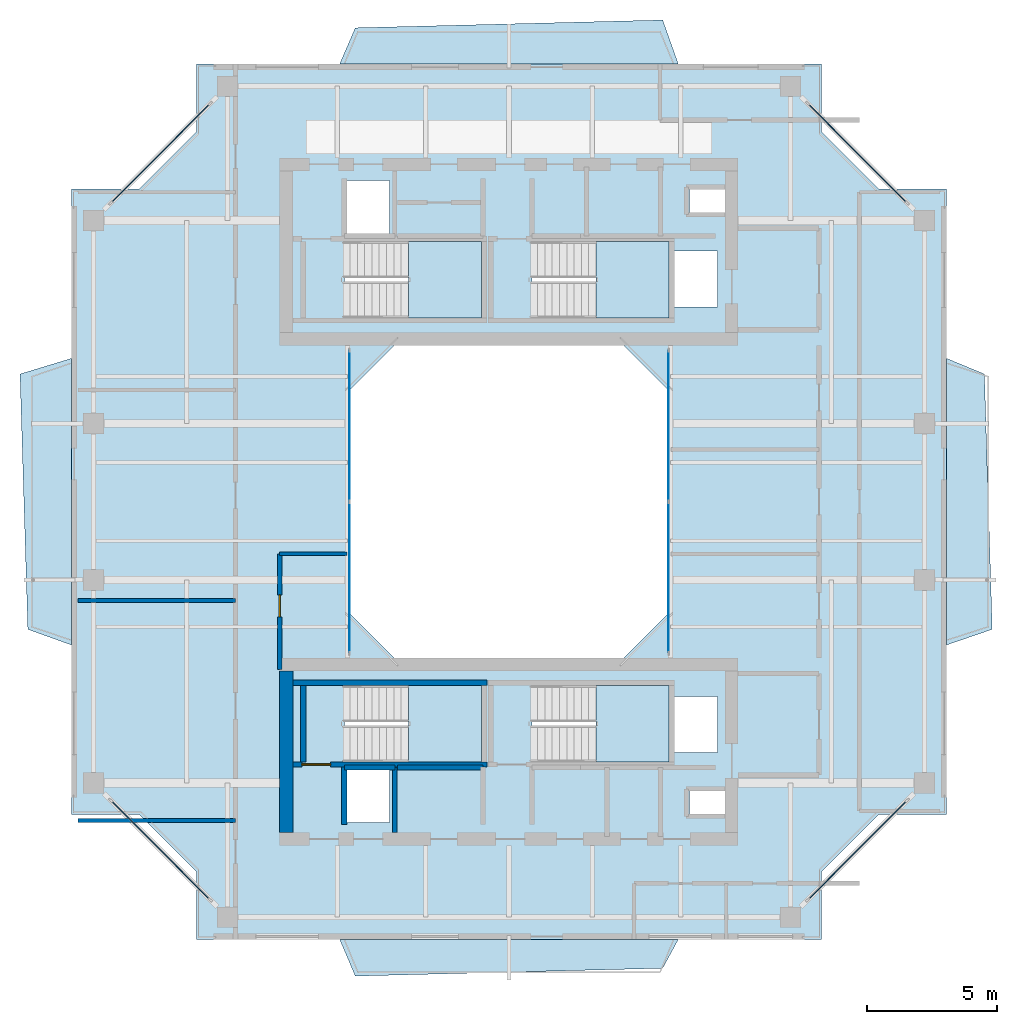
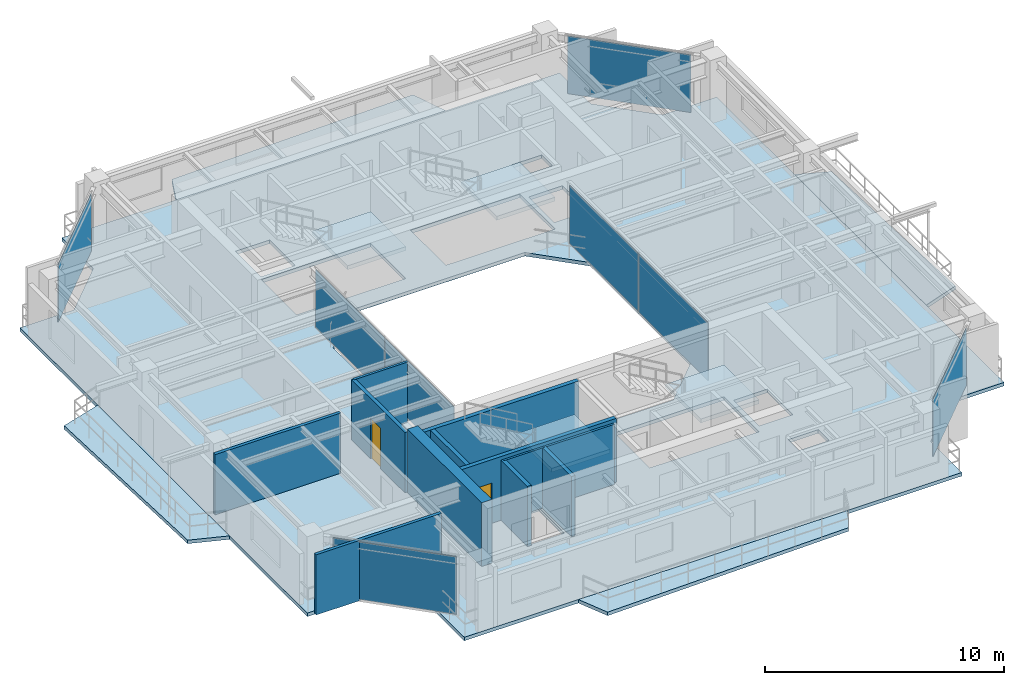
# One storey, part 9 of 15: 12 walls, 9 slabs, 8 plates, 2 doors, 2 openings, 10 elements without a shape of their own.
"""IFC4 building model written with IfcOpenShell, lengths in metres."""

from ifc_helpers import new_model, si_unit, direction, frame, frame_2d, origin, origin_2d, place, context, subcontext, project, spatial, polyline, rectangle, outline, extrude, source, transform, mapped, material, layer, layer_set, type_object, element, fill, aggregate, save


model = new_model("IFC4")

# Units and contexts
model_context = context("Model", 3, precision=1e-05, world=origin(), true_north=direction((0.0, 1.0)))
body_context = subcontext(model_context, "Body", "Model", "MODEL_VIEW")
ifc_project = project(units=[si_unit("LENGTHUNIT", "METRE"), si_unit("AREAUNIT", "SQUARE_METRE"), si_unit("VOLUMEUNIT", "CUBIC_METRE"), si_unit("PLANEANGLEUNIT", "RADIAN"), si_unit("MASSUNIT", "GRAM", prefix="KILO"), si_unit("THERMODYNAMICTEMPERATUREUNIT", "KELVIN"), si_unit("POWERUNIT", "WATT")], contexts=[model_context])

# Site, building, storey
site_placement = place(None, origin())
site = spatial("IfcSite", under=ifc_project, at=site_placement, CompositionType="ELEMENT")
building_placement = place(site_placement, origin())
building = spatial("IfcBuilding", under=site, at=building_placement, Name="Qiaomeng Ring Towers", CompositionType="ELEMENT")
storey_placement = place(building_placement, frame((0.0, 0.0, 219.75)))
storey = spatial("IfcBuildingStorey", under=building, at=storey_placement, Name="L64", CompositionType="ELEMENT", Elevation=219.75)

# Slabs
ifc_material_1 = material(Name="Concrete C40", Category="concrete")
ifc_layer_1 = layer(ifc_material_1, 0.179931640625, Name="Concrete C40")
ifc_layer_set_1 = layer_set([ifc_layer_1], Name="Concrete C40")
slab_type_1 = type_object("IfcSlabType", Name="STR-SL-180", PredefinedType="FLOOR", material=ifc_layer_set_1)
slab_1_placement = place(storey_placement, frame((0.0, 0.0, -0.179931640625)))
element("IfcSlab", 1, at=slab_1_placement, inside=storey, type_object=slab_type_1, Name="L64 Tower 1 Annular Floor Slab", PredefinedType="FLOOR", context=body_context, shape_type="SweptSolid", body=[
    extrude(outline(polyline([(7.0, 6.199951171875), (31.0, 6.199951171875), (31.0, 8.800048828125), (33.199951171875, 11.0), (35.800048828125, 11.0), (35.800048828125, 35.0), (33.199951171875, 35.0), (31.0, 37.199951171875), (31.0, 39.800048828125), (7.0, 39.800048828125), (7.0, 37.199951171875), (4.800048828125, 35.0), (2.199951171875, 35.0), (2.199951171875, 11.0), (4.800048828125, 11.0), (7.0, 8.800048828125), (7.0, 6.199951171875)]), holes=[polyline([(12.780029296875, 10.679931640625), (12.780029296875, 12.820068359375), (14.419921875, 12.820068359375), (14.419921875, 10.679931640625), (12.780029296875, 10.679931640625)]), polyline([(12.679931640625, 13.010009765625), (12.679931640625, 15.949951171875), (17.949951171875, 15.949951171875), (17.949951171875, 13.010009765625), (12.679931640625, 13.010009765625)]), polyline([(23.199951171875, 29.199951171875), (25.199951171875, 27.199951171875), (25.199951171875, 18.800048828125), (23.199951171875, 16.800048828125), (14.800048828125, 16.800048828125), (12.800048828125, 18.800048828125), (12.800048828125, 27.199951171875), (14.800048828125, 29.199951171875), (23.199951171875, 29.199951171875)]), polyline([(12.679931640625, 32.989990234375), (17.949951171875, 32.989990234375), (17.949951171875, 30.050048828125), (12.679931640625, 30.050048828125), (12.679931640625, 32.989990234375)]), polyline([(19.8798828125, 32.989990234375), (25.14990234375, 32.989990234375), (25.14990234375, 30.050048828125), (19.8798828125, 30.050048828125), (19.8798828125, 32.989990234375)]), polyline([(12.780029296875, 33.179931640625), (12.780029296875, 35.320068359375), (14.419921875, 35.320068359375), (14.419921875, 33.179931640625), (12.780029296875, 33.179931640625)]), polyline([(25.919921875, 11.89990234375), (27.360107421875, 11.89990234375), (27.360107421875, 11.0), (25.919921875, 11.0), (25.919921875, 11.89990234375)]), polyline([(25.360107421875, 15.52001953125), (27.0, 15.52001953125), (27.0, 13.3798828125), (25.360107421875, 13.3798828125), (25.360107421875, 15.52001953125)]), polyline([(19.8798828125, 13.010009765625), (19.8798828125, 15.949951171875), (25.14990234375, 15.949951171875), (25.14990234375, 13.010009765625), (19.8798828125, 13.010009765625)]), polyline([(25.360107421875, 32.6201171875), (27.0, 32.6201171875), (27.0, 30.47998046875), (25.360107421875, 30.47998046875), (25.360107421875, 32.6201171875)]), polyline([(25.919921875, 35.0), (27.360107421875, 35.0), (27.360107421875, 34.10009765625), (25.919921875, 34.10009765625), (25.919921875, 35.0)])]), origin(), (0.0, 0.0, 1.0), 0.179931640625),
])
ifc_layer_2 = layer(ifc_material_1, 0.179931640625, Name="Concrete C40")
ifc_layer_set_2 = layer_set([ifc_layer_2], Name="Concrete C40")
slab_type_2 = type_object("IfcSlabType", Name="STR-SL-BAL", PredefinedType="FLOOR", material=ifc_layer_set_2)
slab_2_placement = place(storey_placement, frame((0.0, 0.0, -0.179931640625)))
element("IfcSlab", 2, at=slab_2_placement, inside=storey, type_object=slab_type_2, Name="L64 Tower 1 S Faceted Balcony Slab", PredefinedType="FLOOR", context=body_context, shape_type="SweptSolid", body=[
    extrude(outline(polyline([(25.5, 6.199951171875), (24.89990234375, 5.090087890625), (13.10009765625, 4.7900390625), (12.5, 6.199951171875), (25.5, 6.199951171875)])), origin(), (0.0, 0.0, 1.0), 0.179931640625),
])
slab_3_placement = place(storey_placement, frame((0.0, 0.0, -0.179931640625)))
element("IfcSlab", 3, at=slab_3_placement, inside=storey, type_object=slab_type_2, Name="L64 Tower 1 E Faceted Balcony Slab", PredefinedType="FLOOR", context=body_context, shape_type="SweptSolid", body=[
    extrude(outline(polyline([(37.25, 27.89990234375), (37.550048828125, 18.10009765625), (35.800048828125, 17.5), (35.800048828125, 28.5), (37.25, 27.89990234375)])), origin(), (0.0, 0.0, 1.0), 0.179931640625),
])
slab_4_placement = place(storey_placement, frame((0.0, 0.0, -0.179931640625)))
element("IfcSlab", 4, at=slab_4_placement, inside=storey, type_object=slab_type_2, Name="L64 Tower 1 N Faceted Balcony Slab", PredefinedType="FLOOR", context=body_context, shape_type="SweptSolid", body=[
    extrude(outline(polyline([(12.5, 39.800048828125), (13.10009765625, 41.18994140625), (24.89990234375, 41.489990234375), (25.5, 39.800048828125), (12.5, 39.800048828125)])), origin(), (0.0, 0.0, 1.0), 0.179931640625),
])
slab_5_placement = place(storey_placement, frame((0.0, 0.0, -0.179931640625)))
element("IfcSlab", 5, at=slab_5_placement, inside=storey, type_object=slab_type_2, Name="L64 Tower 1 W Faceted Balcony Slab", PredefinedType="FLOOR", context=body_context, shape_type="SweptSolid", body=[
    extrude(outline(polyline([(0.530029296875, 18.10009765625), (0.22998046875, 27.89990234375), (2.199951171875, 28.5), (2.199951171875, 17.5), (0.530029296875, 18.10009765625)])), origin(), (0.0, 0.0, 1.0), 0.179931640625),
])

# Stair, slab
ifc_material_2 = material(Name="Precast concrete C40", Category="concrete")
stair_type = type_object("IfcStairType", Name="ARC-ST-325", PredefinedType="HALF_TURN_STAIR", material=ifc_material_2)
stair_1_placement = place(storey_placement, origin())
stair_1 = element("IfcStair", 6, at=stair_1_placement, inside=storey, type_object=stair_type, Name="L64 Tower 1 North Stair 1", PredefinedType="HALF_TURN_STAIR")
ifc_layer_3 = layer(ifc_material_1, 0.199951171875, Name="Concrete C40")
ifc_layer_set_3 = layer_set([ifc_layer_3], Name="Concrete C40")
slab_type_3 = type_object("IfcSlabType", Name="STR-SL-LANDING", PredefinedType="LANDING", material=ifc_layer_set_3)
slab_6_placement = place(storey_placement, frame((0.0, 0.0, 1.425048828125)))
slab_6 = element("IfcSlab", 7, at=slab_6_placement, type_object=slab_type_3, Name="ST1 landing 1", PredefinedType="LANDING", context=body_context, shape_type="SweptSolid", body=[
    extrude(outline(polyline([(15.139892578125, 30.050048828125), (17.949951171875, 30.050048828125), (17.949951171875, 32.989990234375), (15.139892578125, 32.989990234375), (15.139892578125, 30.050048828125)])), origin(), (0.0, 0.0, 1.0), 0.199951171875),
])
aggregate(stair_1, [slab_6])

stair_2_placement = place(storey_placement, origin())
stair_2 = element("IfcStair", 8, at=stair_2_placement, inside=storey, type_object=stair_type, Name="L64 Tower 1 North Stair 2", PredefinedType="HALF_TURN_STAIR")
slab_7_placement = place(storey_placement, frame((0.0, 0.0, 1.425048828125)))
slab_7 = element("IfcSlab", 9, at=slab_7_placement, type_object=slab_type_3, Name="ST2 landing 1", PredefinedType="LANDING", context=body_context, shape_type="SweptSolid", body=[
    extrude(outline(polyline([(22.340087890625, 30.050048828125), (25.14990234375, 30.050048828125), (25.14990234375, 32.989990234375), (22.340087890625, 32.989990234375), (22.340087890625, 30.050048828125)])), origin(), (0.0, 0.0, 1.0), 0.199951171875),
])
aggregate(stair_2, [slab_7])

stair_3_placement = place(storey_placement, origin())
stair_3 = element("IfcStair", 10, at=stair_3_placement, inside=storey, type_object=stair_type, Name="L64 Tower 1 South Stair 3", PredefinedType="HALF_TURN_STAIR")
slab_8_placement = place(storey_placement, frame((0.0, 0.0, 1.425048828125)))
slab_8 = element("IfcSlab", 11, at=slab_8_placement, type_object=slab_type_3, Name="ST3 landing 1", PredefinedType="LANDING", context=body_context, shape_type="SweptSolid", body=[
    extrude(outline(polyline([(15.139892578125, 13.010009765625), (17.949951171875, 13.010009765625), (17.949951171875, 15.949951171875), (15.139892578125, 15.949951171875), (15.139892578125, 13.010009765625)])), origin(), (0.0, 0.0, 1.0), 0.199951171875),
])
aggregate(stair_3, [slab_8])

stair_4_placement = place(storey_placement, origin())
stair_4 = element("IfcStair", 12, at=stair_4_placement, inside=storey, type_object=stair_type, Name="L64 Tower 1 South Stair 4", PredefinedType="HALF_TURN_STAIR")
slab_9_placement = place(storey_placement, frame((0.0, 0.0, 1.425048828125)))
slab_9 = element("IfcSlab", 13, at=slab_9_placement, type_object=slab_type_3, Name="ST4 landing 1", PredefinedType="LANDING", context=body_context, shape_type="SweptSolid", body=[
    extrude(outline(polyline([(22.340087890625, 13.010009765625), (25.14990234375, 13.010009765625), (25.14990234375, 15.949951171875), (22.340087890625, 15.949951171875), (22.340087890625, 13.010009765625)])), origin(), (0.0, 0.0, 1.0), 0.199951171875),
])
aggregate(stair_4, [slab_9])

# Curtain wall, plates
ifc_material_3 = material(Name="Fluorocarbon dark-grey aluminium", Category="aluminium")
ifc_layer_4 = layer(ifc_material_3, 0.139892578125, Name="Fluorocarbon dark-grey aluminium")
ifc_layer_set_4 = layer_set([ifc_layer_4], Name="Fluorocarbon dark-grey aluminium")
curtain_wall_type_1 = type_object("IfcCurtainWallType", Name="ARC-CW-4", PredefinedType="NOTDEFINED", material=ifc_layer_set_4)
curtain_wall_1_placement = place(storey_placement, origin())
curtain_wall_1 = element("IfcCurtainWall", 14, at=curtain_wall_1_placement, inside=storey, type_object=curtain_wall_type_1, Name="L64 Curtain Wall CW4", PredefinedType="NOTDEFINED")
ifc_material_4 = material(Name="Low-E dark-grey laminated double glazing", Category="glass")
ifc_layer_5 = layer(ifc_material_4, 0.028076171875, Name="Low-E dark-grey laminated double glazing")
ifc_layer_set_5 = layer_set([ifc_layer_5], Name="Low-E dark-grey laminated double glazing")
plate_type = type_object("IfcPlateType", Name="ARC-CWP-DARK", PredefinedType="CURTAIN_PANEL", material=ifc_layer_set_5)
shared_shape_1 = source(origin(), body_context, "Body", "SweptSolid", [
    extrude(rectangle(XDim=5.75244140625, YDim=0.028076171875, at=origin_2d()), origin(), (0.0, 0.0, 1.0), 2.93994140625),
])
plate_1_placement = place(storey_placement, frame((12.8798828125, 20.09130859375, 0.06494140625), z_axis=(0.0, 0.0, 1.0), x_axis=(0.0, 1.0, 0.0)))
plate_1 = element("IfcPlate", 15, at=plate_1_placement, type_object=plate_type, Name="CW4 panel 1.1", PredefinedType="CURTAIN_PANEL", context=body_context, shape_type="MappedRepresentation", body=[
    mapped(shared_shape_1, transform((0.0, 0.0, 0.0), x_axis=(1.0, 0.0, 0.0), y_axis=(0.0, 1.0, 0.0), z_axis=(0.0, 0.0, 1.0), scale=1.0)),
])
plate_2_placement = place(storey_placement, frame((12.8798828125, 25.90869140625, 0.06494140625), z_axis=(0.0, 0.0, 1.0), x_axis=(0.0, 1.0, 0.0)))
plate_2 = element("IfcPlate", 16, at=plate_2_placement, type_object=plate_type, Name="CW4 panel 2.1", PredefinedType="CURTAIN_PANEL", context=body_context, shape_type="MappedRepresentation", body=[
    mapped(shared_shape_1, transform((0.0, 0.0, 0.0), x_axis=(1.0, 0.0, 0.0), y_axis=(0.0, 1.0, 0.0), z_axis=(0.0, 0.0, 1.0), scale=1.0)),
])
aggregate(curtain_wall_1, [plate_1, plate_2])

curtain_wall_2_placement = place(storey_placement, origin())
curtain_wall_2 = element("IfcCurtainWall", 17, at=curtain_wall_2_placement, inside=storey, type_object=curtain_wall_type_1, Name="L64 Curtain Wall CW4", PredefinedType="NOTDEFINED")
plate_3_placement = place(storey_placement, frame((25.1201171875, 20.09130859375, 0.06494140625), z_axis=(0.0, 0.0, 1.0), x_axis=(0.0, 1.0, 0.0)))
plate_3 = element("IfcPlate", 18, at=plate_3_placement, type_object=plate_type, Name="CW4 panel 1.1", PredefinedType="CURTAIN_PANEL", context=body_context, shape_type="MappedRepresentation", body=[
    mapped(shared_shape_1, transform((0.0, 0.0, 0.0), x_axis=(1.0, 0.0, 0.0), y_axis=(0.0, 1.0, 0.0), z_axis=(0.0, 0.0, 1.0), scale=1.0)),
])
plate_4_placement = place(storey_placement, frame((25.1201171875, 25.90869140625, 0.06494140625), z_axis=(0.0, 0.0, 1.0), x_axis=(0.0, 1.0, 0.0)))
plate_4 = element("IfcPlate", 19, at=plate_4_placement, type_object=plate_type, Name="CW4 panel 2.1", PredefinedType="CURTAIN_PANEL", context=body_context, shape_type="MappedRepresentation", body=[
    mapped(shared_shape_1, transform((0.0, 0.0, 0.0), x_axis=(1.0, 0.0, 0.0), y_axis=(0.0, 1.0, 0.0), z_axis=(0.0, 0.0, 1.0), scale=1.0)),
])
aggregate(curtain_wall_2, [plate_3, plate_4])

# Curtain wall, plate
ifc_layer_6 = layer(ifc_material_3, 0.14990234375, Name="Fluorocarbon dark-grey aluminium")
ifc_layer_set_6 = layer_set([ifc_layer_6], Name="Fluorocarbon dark-grey aluminium")
curtain_wall_type_2 = type_object("IfcCurtainWallType", Name="ARC-CW-3", PredefinedType="NOTDEFINED", material=ifc_layer_set_6)
curtain_wall_3_placement = place(storey_placement, origin())
curtain_wall_3 = element("IfcCurtainWall", 20, at=curtain_wall_3_placement, inside=storey, type_object=curtain_wall_type_2, Name="L64 Curtain Wall CW3", PredefinedType="NOTDEFINED")
shared_shape_2 = source(origin(), body_context, "Body", "SweptSolid", [
    extrude(rectangle(XDim=5.3330078125, YDim=0.028076171875, at=origin_2d()), origin(), (0.0, 0.0, 1.0), 2.93994140625),
])
plate_5_placement = place(storey_placement, frame((32.375, 9.625, 0.06494140625), z_axis=(0.0, 0.0, 1.0), x_axis=(0.707106781187, 0.707106781187, 0.0)))
plate_5 = element("IfcPlate", 21, at=plate_5_placement, type_object=plate_type, Name="CW3 panel 1.1", PredefinedType="CURTAIN_PANEL", context=body_context, shape_type="MappedRepresentation", body=[
    mapped(shared_shape_2, transform((0.0, 0.0, 0.0), x_axis=(1.0, 0.0, 0.0), y_axis=(0.0, 1.0, 0.0), z_axis=(0.0, 0.0, 1.0), scale=1.0)),
])
aggregate(curtain_wall_3, [plate_5])

curtain_wall_4_placement = place(storey_placement, origin())
curtain_wall_4 = element("IfcCurtainWall", 22, at=curtain_wall_4_placement, inside=storey, type_object=curtain_wall_type_2, Name="L64 Curtain Wall CW3", PredefinedType="NOTDEFINED")
plate_6_placement = place(storey_placement, frame((32.375, 36.375, 0.06494140625), z_axis=(0.0, 0.0, 1.0), x_axis=(-0.707106781187, 0.707106781187, 0.0)))
plate_6 = element("IfcPlate", 23, at=plate_6_placement, type_object=plate_type, Name="CW3 panel 1.1", PredefinedType="CURTAIN_PANEL", context=body_context, shape_type="MappedRepresentation", body=[
    mapped(shared_shape_2, transform((0.0, 0.0, 0.0), x_axis=(1.0, 0.0, 0.0), y_axis=(0.0, 1.0, 0.0), z_axis=(0.0, 0.0, 1.0), scale=1.0)),
])
aggregate(curtain_wall_4, [plate_6])

curtain_wall_5_placement = place(storey_placement, origin())
curtain_wall_5 = element("IfcCurtainWall", 24, at=curtain_wall_5_placement, inside=storey, type_object=curtain_wall_type_2, Name="L64 Curtain Wall CW3", PredefinedType="NOTDEFINED")
plate_7_placement = place(storey_placement, frame((5.625, 36.375, 0.06494140625), z_axis=(0.0, 0.0, 1.0), x_axis=(-0.707106781187, -0.707106781187, 0.0)))
plate_7 = element("IfcPlate", 25, at=plate_7_placement, type_object=plate_type, Name="CW3 panel 1.1", PredefinedType="CURTAIN_PANEL", context=body_context, shape_type="MappedRepresentation", body=[
    mapped(shared_shape_2, transform((0.0, 0.0, 0.0), x_axis=(1.0, 0.0, 0.0), y_axis=(0.0, 1.0, 0.0), z_axis=(0.0, 0.0, 1.0), scale=1.0)),
])
aggregate(curtain_wall_5, [plate_7])

curtain_wall_6_placement = place(storey_placement, origin())
curtain_wall_6 = element("IfcCurtainWall", 26, at=curtain_wall_6_placement, inside=storey, type_object=curtain_wall_type_2, Name="L64 Curtain Wall CW3", PredefinedType="NOTDEFINED")
plate_8_placement = place(storey_placement, frame((5.625, 9.625, 0.06494140625), z_axis=(0.0, 0.0, 1.0), x_axis=(0.707106781187, -0.707106781187, 0.0)))
plate_8 = element("IfcPlate", 27, at=plate_8_placement, type_object=plate_type, Name="CW3 panel 1.1", PredefinedType="CURTAIN_PANEL", context=body_context, shape_type="MappedRepresentation", body=[
    mapped(shared_shape_2, transform((0.0, 0.0, 0.0), x_axis=(1.0, 0.0, 0.0), y_axis=(0.0, 1.0, 0.0), z_axis=(0.0, 0.0, 1.0), scale=1.0)),
])
aggregate(curtain_wall_6, [plate_8])

# Walls
ifc_material_5 = material(Name="Autoclaved aerated concrete block", Category="concrete")
ifc_layer_7 = layer(ifc_material_5, 0.199951171875, Name="Autoclaved aerated concrete block")
ifc_layer_set_7 = layer_set([ifc_layer_7], Name="Autoclaved aerated concrete block")
wall_type_1 = type_object("IfcWallType", Name="ARC-WL-PW1", PredefinedType="PARTITIONING", material=ifc_layer_set_7)
wall_1_placement = place(storey_placement, frame((12.679931640625, 10.60009765625, 0.0), z_axis=(0.0, 0.0, 1.0), x_axis=(0.0, 1.0, 0.0)))
element("IfcWall", 28, at=wall_1_placement, inside=storey, type_object=wall_type_1, Name="L64 Interior Wall PW1", PredefinedType="PARTITIONING", context=body_context, shape_type="SweptSolid", body=[
    extrude(rectangle(XDim=2.2099609375, YDim=0.199951171875, at=frame_2d((1.10498046875, 0.0))), origin(), (0.0, 0.0, 1.0), 3.070068359375),
])
wall_2_placement = place(storey_placement, frame((14.719970703125, 12.800048828125, 0.0), z_axis=(0.0, 0.0, 1.0), x_axis=(1.0, 0.0, 0.0)))
element("IfcWall", 29, at=wall_2_placement, inside=storey, type_object=wall_type_1, Name="L64 Interior Wall PW1", PredefinedType="PARTITIONING", context=body_context, shape_type="SweptSolid", body=[
    extrude(rectangle(XDim=3.280029296875, YDim=0.199951171875, at=frame_2d((1.64013671875, 0.0))), origin(), (0.0, 0.0, 1.0), 3.070068359375),
])

# Wall, opening, door
ifc_layer_8 = layer(ifc_material_5, 0.179931640625, Name="Autoclaved aerated concrete block")
ifc_layer_set_8 = layer_set([ifc_layer_8], Name="Autoclaved aerated concrete block")
wall_type_2 = type_object("IfcWallType", Name="ARC-WL-PW2", PredefinedType="PARTITIONING", material=ifc_layer_set_8)
wall_3_placement = place(storey_placement, frame((10.199951171875, 16.550048828125, 0.0), z_axis=(0.0, 0.0, 1.0), x_axis=(0.0, 1.0, 0.0)))
wall_3 = element("IfcWall", 30, at=wall_3_placement, inside=storey, type_object=wall_type_2, Name="L64 Interior Wall PW2", PredefinedType="PARTITIONING", context=body_context, shape_type="SweptSolid", body=[
    extrude(rectangle(XDim=4.449951171875, YDim=0.179931640625, at=frame_2d((2.22509765625, 0.0))), origin(), (0.0, 0.0, 1.0), 3.070068359375),
])
opening_1_placement = place(wall_3_placement, frame((2.02490234375, 0.0, 0.0)))
opening_1 = element("IfcOpeningElement", 31, at=opening_1_placement, cuts=wall_3, Name="Opening ID2", PredefinedType="OPENING", context=body_context, shape_type="SweptSolid", body=[
    extrude(rectangle(XDim=0.85009765625, YDim=2.050048828125, at=frame_2d((0.425048828125, 1.02490234375))), frame((0.0, 0.099853515625, 0.0), z_axis=(0.0, -1.0, 0.0), x_axis=(1.0, 0.0, 0.0)), (0.0, 0.0, 1.0), 0.199951171875),
])
ifc_material_6 = material(Name="Moisture-resistant engineered timber", Category="wood")
door_type_1 = type_object("IfcDoorType", Name="ARC-DR-ID2", OperationType="NOTDEFINED", PredefinedType="DOOR", material=ifc_material_6)
shared_shape_3 = source(origin(), body_context, "Body", "SweptSolid", [
    extrude(rectangle(XDim=0.85009765625, YDim=2.050048828125, at=frame_2d((0.425048828125, 1.02490234375))), frame((0.0, 0.02490234375, 0.0), z_axis=(0.0, -1.0, 0.0), x_axis=(1.0, 0.0, 0.0)), (0.0, 0.0, 1.0), 0.050048828125),
])
door_1_placement = place(opening_1_placement, origin())
door_1 = element("IfcDoor", 32, at=door_1_placement, inside=storey, type_object=door_type_1, Name="L64 Door ID2", OperationType="SINGLE_SWING_LEFT", OverallHeight=2.050048828125, OverallWidth=0.85009765625, PredefinedType="DOOR", context=body_context, shape_type="MappedRepresentation", body=[
    mapped(shared_shape_3, transform((0.0, 0.0, 0.0), x_axis=(1.0, 0.0, 0.0), y_axis=(0.0, 1.0, 0.0), z_axis=(0.0, 0.0, 1.0), scale=1.0)),
])
fill(opening_1, door_1)

# Walls
ifc_material_7 = material(Name="Gypsum fireboard steel-stud partition", Category="steel")
ifc_layer_9 = layer(ifc_material_7, 0.14990234375, Name="Gypsum fireboard steel-stud partition")
ifc_layer_set_9 = layer_set([ifc_layer_9], Name="Gypsum fireboard steel-stud partition")
wall_type_3 = type_object("IfcWallType", Name="ARC-WL-PW3", PredefinedType="PARTITIONING", material=ifc_layer_set_9)
for number, where, z_axis, x_axis, name in (
    (33, (2.449951171875, 10.77001953125, 0.0), (0.0, 0.0, 1.0), (1.0, 0.0, 0.0), "L64 Interior Wall PW3"),
    (34, (2.449951171875, 19.199951171875, 0.0), (0.0, 0.0, 1.0), (1.0, 0.0, 0.0), "L64 Interior Wall PW3"),
):
    element("IfcWall", number, at=place(storey_placement, frame(where, z_axis=z_axis, x_axis=x_axis)), inside=storey, type_object=wall_type_3, Name=name, PredefinedType="PARTITIONING", context=body_context, shape_type="SweptSolid", body=[
        extrude(rectangle(XDim=6.050048828125, YDim=0.14990234375, at=frame_2d((3.02490234375, 0.0))), origin(), (0.0, 0.0, 1.0), 3.070068359375),
    ])
ifc_material_8 = material(Name="Moisture-resistant gypsum steel-stud partition", Category="steel")
ifc_layer_10 = layer(ifc_material_8, 0.1201171875, Name="Moisture-resistant gypsum steel-stud partition")
ifc_layer_set_10 = layer_set([ifc_layer_10], Name="Moisture-resistant gypsum steel-stud partition")
wall_type_4 = type_object("IfcWallType", Name="ARC-WL-PW4", PredefinedType="PLUMBINGWALL", material=ifc_layer_set_10)
wall_4_placement = place(storey_placement, frame((10.199951171875, 21.0, 0.0), z_axis=(0.0, 0.0, 1.0), x_axis=(1.0, 0.0, 0.0)))
element("IfcWall", 35, at=wall_4_placement, inside=storey, type_object=wall_type_4, Name="L64 Interior Wall PW4", PredefinedType="PLUMBINGWALL", context=body_context, shape_type="SweptSolid", body=[
    extrude(rectangle(XDim=2.580078125, YDim=0.1201171875, at=frame_2d((1.2900390625, 0.0))), origin(), (0.0, 0.0, 1.0), 3.070068359375),
])
ifc_layer_11 = layer(ifc_material_1, 0.199951171875, Name="Concrete C40")
ifc_layer_set_11 = layer_set([ifc_layer_11], Name="Concrete C40")
wall_type_5 = type_object("IfcWallType", Name="STR-WL-STSHAFT", PredefinedType="SHEAR", material=ifc_layer_set_11)
wall_5_placement = place(storey_placement, frame((12.679931640625, 12.800048828125, 0.0), z_axis=(0.0, 0.0, 1.0), x_axis=(1.0, 0.0, 0.0)))
element("IfcWall", 36, at=wall_5_placement, inside=storey, type_object=wall_type_5, Name="L64 Lift LP6 Shaft Back Wall", PredefinedType="SHEAR", context=body_context, shape_type="SweptSolid", body=[
    extrude(rectangle(XDim=1.940185546875, YDim=0.179931640625, at=frame_2d((0.97021484375, 0.0))), origin(), (0.0, 0.0, 1.0), 3.070068359375),
])
wall_6_placement = place(storey_placement, frame((14.6201171875, 10.300048828125, 0.0), z_axis=(0.0, 0.0, 1.0), x_axis=(0.0, 1.0, 0.0)))
element("IfcWall", 37, at=wall_6_placement, inside=storey, type_object=wall_type_5, Name="L64 Lift LP6-LP4 Shaft Divider Wall", PredefinedType="SHEAR", context=body_context, shape_type="SweptSolid", body=[
    extrude(rectangle(XDim=2.5, YDim=0.179931640625, at=frame_2d((1.25, 0.0))), origin(), (0.0, 0.0, 1.0), 3.070068359375),
])

# Wall, opening, door
wall_7_placement = place(storey_placement, frame((10.699951171875, 12.909912109375, 0.0), z_axis=(0.0, 0.0, 1.0), x_axis=(1.0, 0.0, 0.0)))
wall_7 = element("IfcWall", 38, at=wall_7_placement, inside=storey, type_object=wall_type_5, Name="L64 Stair ST3 South Shaft Shear Wall", PredefinedType="SHEAR", context=body_context, shape_type="SweptSolid", body=[
    extrude(rectangle(XDim=7.449951171875, YDim=0.199951171875, at=frame_2d((3.72509765625, 0.0))), origin(), (0.0, 0.0, 1.0), 3.25),
])
opening_2_placement = place(wall_7_placement, frame((0.35009765625, 0.0, 0.0)))
opening_2 = element("IfcOpeningElement", 39, at=opening_2_placement, cuts=wall_7, Name="Opening FD3", PredefinedType="OPENING", context=body_context, shape_type="SweptSolid", body=[
    extrude(rectangle(XDim=1.10009765625, YDim=2.050048828125, at=frame_2d((0.550048828125, 1.02490234375))), frame((0.0, 0.10986328125, 0.0), z_axis=(0.0, -1.0, 0.0), x_axis=(1.0, 0.0, 0.0)), (0.0, 0.0, 1.0), 0.219970703125),
])
ifc_material_9 = material(Name="Galvanised steel", Category="steel")
door_type_2 = type_object("IfcDoorType", Name="ARC-DR-FD3", OperationType="NOTDEFINED", PredefinedType="DOOR", material=ifc_material_9)
shared_shape_4 = source(origin(), body_context, "Body", "SweptSolid", [
    extrude(rectangle(XDim=1.10009765625, YDim=2.050048828125, at=frame_2d((0.550048828125, 1.02490234375))), frame((0.0, 0.02490234375, 0.0), z_axis=(0.0, -1.0, 0.0), x_axis=(1.0, 0.0, 0.0)), (0.0, 0.0, 1.0), 0.050048828125),
])
door_2_placement = place(opening_2_placement, frame((1.10009765625, 0.0, 0.0), z_axis=(0.0, 0.0, 1.0), x_axis=(-1.0, 0.0, 0.0)))
door_2 = element("IfcDoor", 40, at=door_2_placement, inside=storey, type_object=door_type_2, Name="L64 Stair ST3 Exit Door", OperationType="SINGLE_SWING_LEFT", OverallHeight=2.050048828125, OverallWidth=1.10009765625, PredefinedType="DOOR", context=body_context, shape_type="MappedRepresentation", body=[
    mapped(shared_shape_4, transform((0.0, 0.0, 0.0), x_axis=(1.0, 0.0, 0.0), y_axis=(0.0, 1.0, 0.0), z_axis=(0.0, 0.0, 1.0), scale=1.0)),
])
fill(opening_2, door_2)

# Walls
wall_8_placement = place(storey_placement, frame((10.699951171875, 16.050048828125, 0.0), z_axis=(0.0, 0.0, 1.0), x_axis=(1.0, 0.0, 0.0)))
element("IfcWall", 41, at=wall_8_placement, inside=storey, type_object=wall_type_5, Name="L64 Stair ST3 North Shaft Shear Wall", PredefinedType="SHEAR", context=body_context, shape_type="SweptSolid", body=[
    extrude(rectangle(XDim=7.449951171875, YDim=0.199951171875, at=frame_2d((3.72509765625, 0.0))), origin(), (0.0, 0.0, 1.0), 3.25),
])
wall_9_placement = place(storey_placement, frame((11.10009765625, 13.010009765625, 0.0), z_axis=(0.0, 0.0, 1.0), x_axis=(0.0, 1.0, 0.0)))
element("IfcWall", 42, at=wall_9_placement, inside=storey, type_object=wall_type_5, Name="L64 Stair ST3 West Shaft Shear Wall", PredefinedType="SHEAR", context=body_context, shape_type="SweptSolid", body=[
    extrude(rectangle(XDim=2.93994140625, YDim=0.199951171875, at=frame_2d((1.469970703125, 0.0))), origin(), (0.0, 0.0, 1.0), 3.25),
])
ifc_layer_12 = layer(ifc_material_1, 0.5, Name="Concrete C40")
ifc_layer_set_12 = layer_set([ifc_layer_12], Name="Concrete C40")
wall_type_6 = type_object("IfcWallType", Name="STR-WL-SW3", PredefinedType="SHEAR", material=ifc_layer_set_12)
wall_10_placement = place(storey_placement, frame((10.449951171875, 10.300048828125, 0.0), z_axis=(0.0, 0.0, 1.0), x_axis=(0.0, 1.0, 0.0)))
element("IfcWall", 43, at=wall_10_placement, inside=storey, type_object=wall_type_6, Name="L64 T1SC west core shear wall", PredefinedType="SHEAR", context=body_context, shape_type="SweptSolid", body=[
    extrude(rectangle(XDim=6.199951171875, YDim=0.5, at=frame_2d((3.10009765625, 0.0))), origin(), (0.0, 0.0, 1.0), 3.25),
])

save(model, "model.ifc")
